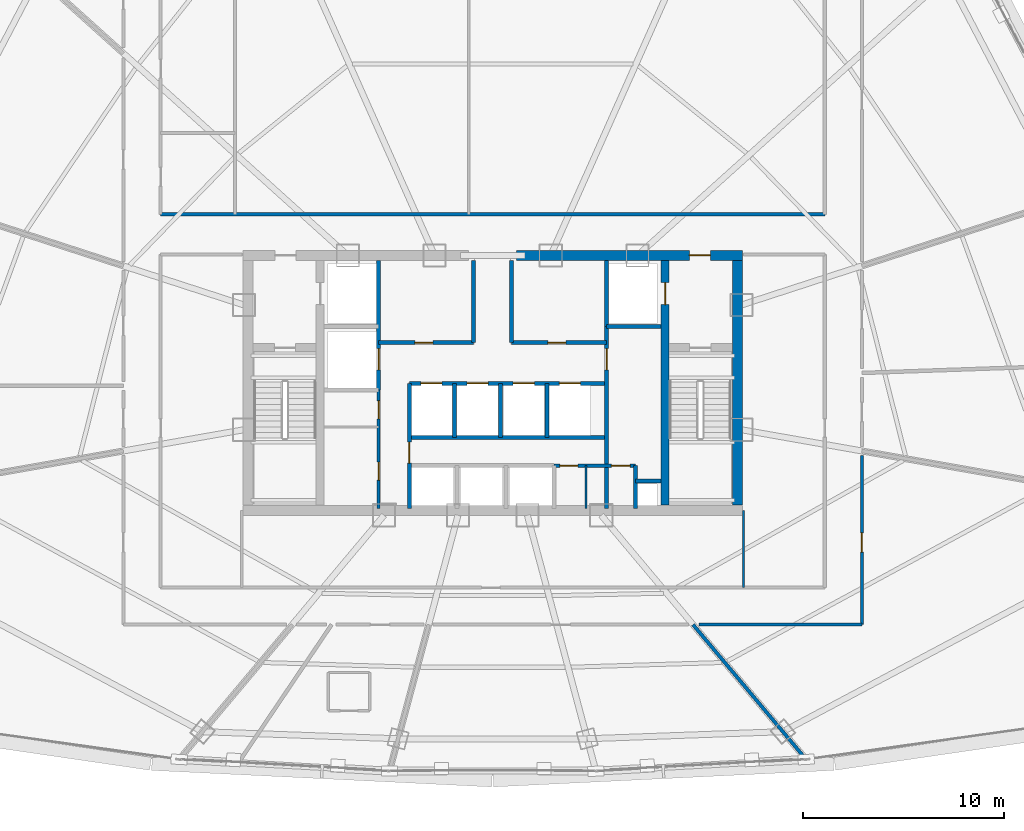
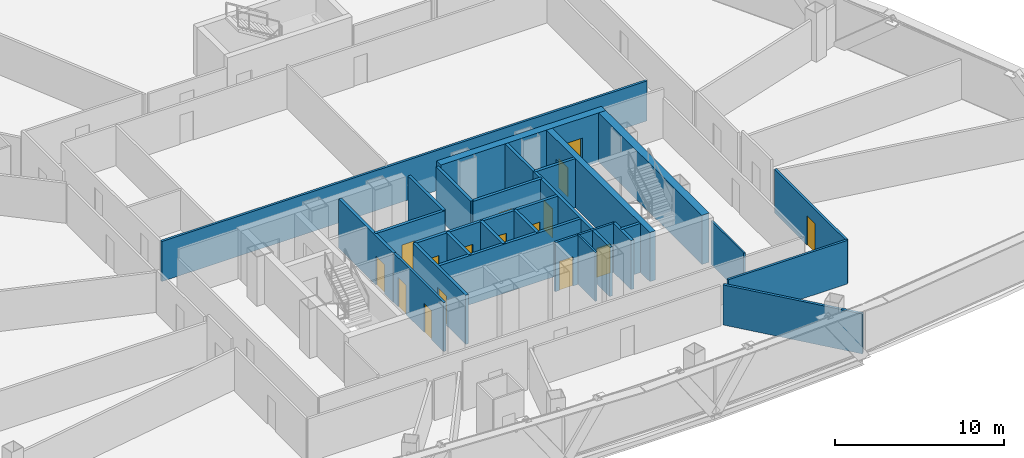
# One storey, part 31 of 37: 27 walls, 16 doors, 16 openings.
"""IFC4 building model written with IfcOpenShell, lengths in metres."""

from ifc_helpers import new_model, si_unit, direction, frame, frame_2d, origin, origin_with_axes, place, context, subcontext, project, spatial, rectangle, extrude, source, transform, mapped, material, layer, layer_set, type_object, element, fill, save


model = new_model("IFC4")

# Units and contexts
model_context = context("Model", 3, precision=1e-05, world=origin(), true_north=direction((0.0, 1.0)))
body_context = subcontext(model_context, "Body", "Model", "MODEL_VIEW")
ifc_project = project(units=[si_unit("LENGTHUNIT", "METRE"), si_unit("AREAUNIT", "SQUARE_METRE"), si_unit("VOLUMEUNIT", "CUBIC_METRE"), si_unit("PLANEANGLEUNIT", "RADIAN"), si_unit("MASSUNIT", "GRAM", prefix="KILO"), si_unit("THERMODYNAMICTEMPERATUREUNIT", "KELVIN"), si_unit("POWERUNIT", "WATT")], contexts=[model_context])

# Site, building, storey
site_placement = place(None, origin())
site = spatial("IfcSite", under=ifc_project, at=site_placement, CompositionType="ELEMENT")
building_placement = place(site_placement, origin())
building = spatial("IfcBuilding", under=site, at=building_placement, Name="Yunzhuo Pagoda Commons", CompositionType="ELEMENT")
storey_placement = place(building_placement, frame((0.0, 0.0, 207.56005859375)))
storey = spatial("IfcBuildingStorey", under=building, at=storey_placement, Name="L52", CompositionType="ELEMENT", Elevation=207.56005859375)

# Wall, opening, door
ifc_material_1 = material(Name="Concrete C50", Category="concrete")
ifc_layer_1 = layer(ifc_material_1, 0.5)
ifc_layer_set_1 = layer_set([ifc_layer_1], Name="Concrete C50")
wall_type_1 = type_object("IfcWallType", Name="W-C03 Upper Core Shear Wall 500", PredefinedType="SHEAR", material=ifc_layer_set_1)
wall_1_placement = place(storey_placement, frame((49.199951171875, 40.199951171875, 0.0), z_axis=(0.0, 0.0, 1.0), x_axis=(1.0, 0.0, 0.0)))
wall_1 = element("IfcWall", 1, at=wall_1_placement, inside=storey, type_object=wall_type_1, Name="L52 core shear wall NE", PredefinedType="SHEAR", context=body_context, shape_type="SweptSolid", body=[
    extrude(rectangle(XDim=11.25, YDim=0.5, at=frame_2d((5.625, 0.0))), origin(), (0.0, 0.0, 1.0), 3.5400390625),
])
opening_1_placement = place(wall_1_placement, frame((8.60009765625, 0.0, 0.0)))
opening_1 = element("IfcOpeningElement", 2, at=opening_1_placement, cuts=wall_1, Name="Opening D-02", PredefinedType="OPENING", context=body_context, shape_type="SweptSolid", body=[
    extrude(rectangle(XDim=1.050048828125, YDim=2.10009765625, at=frame_2d((0.52490234375, 1.050048828125))), frame((0.0, 0.260009765625, 0.0), z_axis=(0.0, -1.0, 0.0), x_axis=(1.0, 0.0, 0.0)), (0.0, 0.0, 1.0), 0.52001953125),
])
ifc_material_2 = material(Name="Galvanized fire-resisting metal leaf")
door_type_1 = type_object("IfcDoorType", Name="D-02 Firefighting Lobby & Refuge Fire Door 1050x2100", OperationType="NOTDEFINED", PredefinedType="DOOR", material=ifc_material_2)
shared_shape_1 = source(origin(), body_context, "Body", "SweptSolid", [
    extrude(rectangle(XDim=1.050048828125, YDim=2.10009765625, at=frame_2d((0.52490234375, 1.050048828125))), frame((0.0, 0.02490234375, 0.0), z_axis=(0.0, -1.0, 0.0), x_axis=(1.0, 0.0, 0.0)), (0.0, 0.0, 1.0), 0.050048828125),
])
door_1_placement = place(opening_1_placement, frame((1.050048828125, 0.0, 0.0), z_axis=(0.0, 0.0, 1.0), x_axis=(-1.0, 0.0, 0.0)))
door_1 = element("IfcDoor", 3, at=door_1_placement, inside=storey, type_object=door_type_1, Name="L52 Firefighting Lobby 2 fire door", OperationType="SINGLE_SWING_RIGHT", OverallHeight=2.10009765625, OverallWidth=1.050048828125, PredefinedType="DOOR", context=body_context, shape_type="MappedRepresentation", body=[
    mapped(shared_shape_1, transform((0.0, 0.0, 0.0), scale=1.0)),
])
fill(opening_1, door_1)

# Wall
wall_2_placement = place(storey_placement, frame((60.199951171875, 27.75, 0.0), z_axis=(0.0, 0.0, 1.0), x_axis=(0.0, 1.0, 0.0)))
element("IfcWall", 4, at=wall_2_placement, inside=storey, type_object=wall_type_1, Name="L52 core shear wall E", PredefinedType="SHEAR", context=body_context, shape_type="SweptSolid", body=[
    extrude(rectangle(XDim=12.199951171875, YDim=0.5, at=frame_2d((6.10009765625, 0.0))), origin(), (0.0, 0.0, 1.0), 3.5400390625),
])

# Wall, openings, doors
ifc_material_3 = material(Name="Gypsum plasterboard on acoustic stud")
ifc_layer_2 = layer(ifc_material_3, 0.155029296875)
ifc_layer_set_2 = layer_set([ifc_layer_2], Name="Gypsum plasterboard on acoustic stud")
wall_type_2 = type_object("IfcWallType", Name="W-COR2 Mid-Zone Rated Corridor Wall 155", PredefinedType="PARTITIONING", material=ifc_layer_set_2)
wall_3_placement = place(storey_placement, frame((42.320068359375, 27.60009765625, 0.0), z_axis=(0.0, 0.0, 1.0), x_axis=(0.0, 1.0, 0.0)))
wall_3 = element("IfcWall", 5, at=wall_3_placement, inside=storey, type_object=wall_type_2, Name="L52 interior wall IW-L52-CSWE", PredefinedType="PARTITIONING", context=body_context, shape_type="SweptSolid", body=[
    extrude(rectangle(XDim=5.89990234375, YDim=0.155029296875, at=frame_2d((2.949951171875, 0.0))), origin(), (0.0, 0.0, 1.0), 3.5400390625),
])
opening_2_placement = place(wall_3_placement, frame((1.39990234375, 0.0, 0.0)))
opening_2 = element("IfcOpeningElement", 6, at=opening_2_placement, cuts=wall_3, Name="Opening D-03", PredefinedType="OPENING", context=body_context, shape_type="SweptSolid", body=[
    extrude(rectangle(XDim=0.89990234375, YDim=2.10009765625, at=frame_2d((0.449951171875, 1.050048828125))), frame((0.0, 0.08740234375, 0.0), z_axis=(0.0, -1.0, 0.0), x_axis=(1.0, 0.0, 0.0)), (0.0, 0.0, 1.0), 0.175048828125),
])
opening_3_placement = place(wall_3_placement, frame((4.449951171875, 0.0, 0.0)))
opening_3 = element("IfcOpeningElement", 7, at=opening_3_placement, cuts=wall_3, Name="Opening D-03", PredefinedType="OPENING", context=body_context, shape_type="SweptSolid", body=[
    extrude(rectangle(XDim=0.89990234375, YDim=2.10009765625, at=frame_2d((0.449951171875, 1.050048828125))), frame((0.0, 0.08740234375, 0.0), z_axis=(0.0, -1.0, 0.0), x_axis=(1.0, 0.0, 0.0)), (0.0, 0.0, 1.0), 0.175048828125),
])
door_type_2 = type_object("IfcDoorType", Name="D-03 Core Service Fire Door 900x2100", OperationType="NOTDEFINED", PredefinedType="DOOR", material=ifc_material_2)
shared_shape_2 = source(origin(), body_context, "Body", "SweptSolid", [
    extrude(rectangle(XDim=0.89990234375, YDim=2.10009765625, at=frame_2d((0.449951171875, 1.050048828125))), frame((0.0, 0.02490234375, 0.0), z_axis=(0.0, -1.0, 0.0), x_axis=(1.0, 0.0, 0.0)), (0.0, 0.0, 1.0), 0.050048828125),
])
door_2_placement = place(opening_2_placement, origin_with_axes())
door_2 = element("IfcDoor", 8, at=door_2_placement, inside=storey, type_object=door_type_2, Name="L52 service store door", OperationType="SINGLE_SWING_LEFT", OverallHeight=2.10009765625, OverallWidth=0.89990234375, PredefinedType="DOOR", context=body_context, shape_type="MappedRepresentation", body=[
    mapped(shared_shape_2, transform((0.0, 0.0, 0.0), scale=1.0)),
])
fill(opening_2, door_2)
door_3_placement = place(opening_3_placement, origin_with_axes())
door_3 = element("IfcDoor", 9, at=door_3_placement, inside=storey, type_object=door_type_2, Name="L52 switch closet door", OperationType="SINGLE_SWING_RIGHT", OverallHeight=2.10009765625, OverallWidth=0.89990234375, PredefinedType="DOOR", context=body_context, shape_type="MappedRepresentation", body=[
    mapped(shared_shape_2, transform((0.0, 0.0, 0.0), scale=1.0)),
])
fill(opening_3, door_3)

wall_4_placement = place(storey_placement, frame((51.050048828125, 29.719970703125, 0.0), z_axis=(0.0, 0.0, 1.0), x_axis=(1.0, 0.0, 0.0)))
wall_4 = element("IfcWall", 10, at=wall_4_placement, inside=storey, type_object=wall_type_2, Name="L52 interior wall IW-L52-CSES", PredefinedType="PARTITIONING", context=body_context, shape_type="SweptSolid", body=[
    extrude(rectangle(XDim=4.070068359375, YDim=0.155029296875, at=frame_2d((2.03515625, 0.0))), origin(), (0.0, 0.0, 1.0), 3.5400390625),
])
opening_4_placement = place(wall_4_placement, frame((0.300048828125, 0.0, 0.0)))
opening_4 = element("IfcOpeningElement", 11, at=opening_4_placement, cuts=wall_4, Name="Opening D-03", PredefinedType="OPENING", context=body_context, shape_type="SweptSolid", body=[
    extrude(rectangle(XDim=0.89990234375, YDim=2.10009765625, at=frame_2d((0.449951171875, 1.050048828125))), frame((0.0, 0.08740234375, 0.0), z_axis=(0.0, -1.0, 0.0), x_axis=(1.0, 0.0, 0.0)), (0.0, 0.0, 1.0), 0.175048828125),
])
opening_5_placement = place(wall_4_placement, frame((2.860107421875, 0.0, 0.0)))
opening_5 = element("IfcOpeningElement", 12, at=opening_5_placement, cuts=wall_4, Name="Opening D-11", PredefinedType="OPENING", context=body_context, shape_type="SweptSolid", body=[
    extrude(rectangle(XDim=0.93994140625, YDim=2.10009765625, at=frame_2d((0.469970703125, 1.050048828125))), frame((0.0, 0.08740234375, 0.0), z_axis=(0.0, -1.0, 0.0), x_axis=(1.0, 0.0, 0.0)), (0.0, 0.0, 1.0), 0.175048828125),
])
door_4_placement = place(opening_4_placement, origin_with_axes())
door_4 = element("IfcDoor", 13, at=door_4_placement, inside=storey, type_object=door_type_2, Name="L52 cleaner door", OperationType="SINGLE_SWING_LEFT", OverallHeight=2.10009765625, OverallWidth=0.89990234375, PredefinedType="DOOR", context=body_context, shape_type="MappedRepresentation", body=[
    mapped(shared_shape_2, transform((0.0, 0.0, 0.0), scale=1.0)),
])
fill(opening_4, door_4)
door_type_3 = type_object("IfcDoorType", Name="D-11 Accessible Washroom Fire Door 940x2100", OperationType="NOTDEFINED", PredefinedType="DOOR", material=ifc_material_2)
shared_shape_3 = source(origin(), body_context, "Body", "SweptSolid", [
    extrude(rectangle(XDim=0.93994140625, YDim=2.10009765625, at=frame_2d((0.469970703125, 1.050048828125))), frame((0.0, 0.02490234375, 0.0), z_axis=(0.0, -1.0, 0.0), x_axis=(1.0, 0.0, 0.0)), (0.0, 0.0, 1.0), 0.050048828125),
])
door_5_placement = place(opening_5_placement, origin_with_axes())
door_5 = element("IfcDoor", 14, at=door_5_placement, inside=storey, type_object=door_type_3, Name="L52 core WC door", OperationType="SINGLE_SWING_RIGHT", OverallHeight=2.10009765625, OverallWidth=0.93994140625, PredefinedType="DOOR", context=body_context, shape_type="MappedRepresentation", body=[
    mapped(shared_shape_3, transform((0.0, 0.0, 0.0), scale=1.0)),
])
fill(opening_5, door_5)

# Wall
wall_5_placement = place(storey_placement, frame((31.449951171875, 42.25, 0.0), z_axis=(0.0, 0.0, 1.0), x_axis=(1.0, 0.0, 0.0)))
element("IfcWall", 15, at=wall_5_placement, inside=storey, type_object=wall_type_2, Name="L52 interior wall IW-L52-MCNS", PredefinedType="PARTITIONING", context=body_context, shape_type="SweptSolid", body=[
    extrude(rectangle(XDim=33.10009765625, YDim=0.155029296875, at=frame_2d((16.550048828125, 0.0))), origin(), (0.0, 0.0, 1.0), 2.889892578125),
])

# Wall, opening, door
wall_6_placement = place(storey_placement, frame((66.39990234375, 30.232177734375, 0.0), z_axis=(0.0, 0.0, 1.0), x_axis=(0.0, -1.0, 0.0)))
wall_6 = element("IfcWall", 16, at=wall_6_placement, inside=storey, type_object=wall_type_2, Name="L52 interior wall IW-L52-CWL13", PredefinedType="PARTITIONING", context=body_context, shape_type="SweptSolid", body=[
    extrude(rectangle(XDim=8.43212890625, YDim=0.155029296875, at=frame_2d((4.216064453125, 0.0))), origin(), (0.0, 0.0, 1.0), 3.139892578125),
])
opening_6_placement = place(wall_6_placement, frame((3.859375, 0.0, 0.0)))
opening_6 = element("IfcOpeningElement", 17, at=opening_6_placement, cuts=wall_6, Name="Opening D-07", PredefinedType="OPENING", context=body_context, shape_type="SweptSolid", body=[
    extrude(rectangle(XDim=0.9599609375, YDim=2.1201171875, at=frame_2d((0.47998046875, 1.06005859375))), frame((0.0, 0.08740234375, 0.0), z_axis=(0.0, -1.0, 0.0), x_axis=(1.0, 0.0, 0.0)), (0.0, 0.0, 1.0), 0.175048828125),
])
door_type_4 = type_object("IfcDoorType", Name="D-07 Mid-Zone Suite Entrance Fire Door 960x2120", OperationType="NOTDEFINED", PredefinedType="DOOR", material=ifc_material_2)
shared_shape_4 = source(origin(), body_context, "Body", "SweptSolid", [
    extrude(rectangle(XDim=0.9599609375, YDim=2.1201171875, at=frame_2d((0.47998046875, 1.06005859375))), frame((0.0, 0.02490234375, 0.0), z_axis=(0.0, -1.0, 0.0), x_axis=(1.0, 0.0, 0.0)), (0.0, 0.0, 1.0), 0.050048828125),
])
door_6_placement = place(opening_6_placement, origin_with_axes())
door_6 = element("IfcDoor", 18, at=door_6_placement, inside=storey, type_object=door_type_4, Name="L52 unit 13 entrance door", OperationType="SINGLE_SWING_LEFT", OverallHeight=2.1201171875, OverallWidth=0.9599609375, PredefinedType="DOOR", context=body_context, shape_type="MappedRepresentation", body=[
    mapped(shared_shape_4, transform((0.0, 0.0, 0.0), scale=1.0)),
])
fill(opening_6, door_6)

# Walls
wall_7_placement = place(storey_placement, frame((66.39990234375, 21.800048828125, 0.0), z_axis=(0.0, 0.0, 1.0), x_axis=(-1.0, 0.0, 0.0)))
element("IfcWall", 19, at=wall_7_placement, inside=storey, type_object=wall_type_2, Name="L52 interior wall IW-L52-CWL14", PredefinedType="PARTITIONING", context=body_context, shape_type="SweptSolid", body=[
    extrude(rectangle(XDim=8.12744140625, YDim=0.155029296875, at=frame_2d((4.063720703125, 0.0))), origin(), (0.0, 0.0, 1.0), 3.139892578125),
])
ifc_layer_3 = layer(ifc_material_3, 0.1201171875)
ifc_layer_set_3 = layer_set([ifc_layer_3], Name="Gypsum plasterboard on acoustic stud")
wall_type_3 = type_object("IfcWallType", Name="W-PRT1 Suite & Bathroom Partition 120", PredefinedType="PARTITIONING", material=ifc_layer_set_3)
wall_8_placement = place(storey_placement, frame((52.64990234375, 27.60009765625, 0.0), z_axis=(0.0, 0.0, 1.0), x_axis=(0.0, 1.0, 0.0)))
element("IfcWall", 20, at=wall_8_placement, inside=storey, type_object=wall_type_3, Name="L52 interior wall IW-L52-CD2", PredefinedType="PARTITIONING", context=body_context, shape_type="SweptSolid", body=[
    extrude(rectangle(XDim=2.119873046875, YDim=0.1201171875, at=frame_2d((1.06005859375, 0.0))), origin(), (0.0, 0.0, 1.0), 3.5400390625),
])
wall_9_placement = place(storey_placement, frame((60.5, 23.64990234375, 0.0), z_axis=(0.0, 0.0, 1.0), x_axis=(0.0, 1.0, 0.0)))
element("IfcWall", 21, at=wall_9_placement, inside=storey, type_object=wall_type_3, Name="L52 interior wall IW-L52-SFLD2", PredefinedType="PARTITIONING", context=body_context, shape_type="SweptSolid", body=[
    extrude(rectangle(XDim=3.85009765625, YDim=0.1201171875, at=frame_2d((1.925048828125, 0.0))), origin(), (0.0, 0.0, 1.0), 3.139892578125),
])
ifc_layer_4 = layer(ifc_material_3, 0.175048828125)
ifc_layer_set_4 = layer_set([ifc_layer_4], Name="Gypsum plasterboard on acoustic stud")
wall_type_4 = type_object("IfcWallType", Name="W-PRT3 Mid-Zone Demising Wall 175", PredefinedType="PARTITIONING", material=ifc_layer_set_4)
wall_10_placement = place(storey_placement, frame((57.9853515625, 21.800048828125, 0.0), z_axis=(0.0, 0.0, 1.0), x_axis=(0.642774108653, -0.766055771629, 0.0)))
element("IfcWall", 22, at=wall_10_placement, inside=storey, type_object=wall_type_4, Name="L52 interior wall IW-L52-RAD13", PredefinedType="PARTITIONING", context=body_context, shape_type="SweptSolid", body=[
    extrude(rectangle(XDim=8.76904296875, YDim=0.175048828125, at=frame_2d((4.384521484375, 0.0))), origin(), (0.0, 0.0, 1.0), 2.889892578125),
])

# Wall, opening, door
ifc_material_4 = material(Name="Concrete C60", Category="concrete")
ifc_layer_5 = layer(ifc_material_4, 0.39990234375)
ifc_layer_set_5 = layer_set([ifc_layer_5], Name="Concrete C60")
wall_type_5 = type_object("IfcWallType", Name="W-S01 Internal Core Shear Web 400", PredefinedType="SHEAR", material=ifc_layer_set_5)
wall_11_placement = place(storey_placement, frame((56.60009765625, 27.75, 0.0), z_axis=(0.0, 0.0, 1.0), x_axis=(0.0, 1.0, 0.0)))
wall_11 = element("IfcWall", 23, at=wall_11_placement, inside=storey, type_object=wall_type_5, Name="L52 core shear wall WEBE", PredefinedType="SHEAR", context=body_context, shape_type="SweptSolid", body=[
    extrude(rectangle(XDim=12.199951171875, YDim=0.39990234375, at=frame_2d((6.10009765625, 0.0))), origin(), (0.0, 0.0, 1.0), 3.5400390625),
])
opening_7_placement = place(wall_11_placement, frame((10.0, 0.0, 0.0)))
opening_7 = element("IfcOpeningElement", 24, at=opening_7_placement, cuts=wall_11, Name="Opening LD-01", PredefinedType="OPENING", context=body_context, shape_type="SweptSolid", body=[
    extrude(rectangle(XDim=1.10009765625, YDim=2.10009765625, at=frame_2d((0.550048828125, 1.050048828125))), frame((0.0, 0.2099609375, 0.0), z_axis=(0.0, -1.0, 0.0), x_axis=(1.0, 0.0, 0.0)), (0.0, 0.0, 1.0), 0.419921875),
])
door_type_5 = type_object("IfcDoorType", Name="LD-01 Firefighting Lift Landing Door 1100x2100", OperationType="DOUBLE_DOOR_SLIDING", PredefinedType="DOOR", material=ifc_material_2)
shared_shape_5 = source(origin(), body_context, "Body", "SweptSolid", [
    extrude(rectangle(XDim=1.10009765625, YDim=2.10009765625, at=frame_2d((0.550048828125, 1.050048828125))), frame((0.0, 0.02490234375, 0.0), z_axis=(0.0, -1.0, 0.0), x_axis=(1.0, 0.0, 0.0)), (0.0, 0.0, 1.0), 0.050048828125),
])
door_7_placement = place(opening_7_placement, origin_with_axes())
door_7 = element("IfcDoor", 25, at=door_7_placement, inside=storey, type_object=door_type_5, Name="L52 Firefighting lift FL-2 landing door", OperationType="DOUBLE_DOOR_SLIDING", OverallHeight=2.10009765625, OverallWidth=1.10009765625, PredefinedType="DOOR", context=body_context, shape_type="MappedRepresentation", body=[
    mapped(shared_shape_5, transform((0.0, 0.0, 0.0), scale=1.0)),
])
fill(opening_7, door_7)

ifc_material_5 = material(Name="Concrete C40", Category="concrete")
ifc_layer_6 = layer(ifc_material_5, 0.199951171875)
ifc_layer_set_6 = layer_set([ifc_layer_6], Name="Concrete C40")
wall_type_6 = type_object("IfcWallType", Name="W-SHF Shaft & Stair Enclosure Wall 200", PredefinedType="SOLIDWALL", material=ifc_layer_set_6)
wall_12_placement = place(storey_placement, frame((42.320068359375, 33.5, 0.0), z_axis=(0.0, 0.0, 1.0), x_axis=(0.0, 1.0, 0.0)))
wall_12 = element("IfcWall", 26, at=wall_12_placement, inside=storey, type_object=wall_type_6, Name="L52 interior wall IW-L52-FL1E", PredefinedType="SOLIDWALL", context=body_context, shape_type="SweptSolid", body=[
    extrude(rectangle(XDim=6.449951171875, YDim=0.199951171875, at=frame_2d((3.22509765625, 0.0))), origin(), (0.0, 0.0, 1.0), 3.5400390625),
])
opening_8_placement = place(wall_12_placement, frame((1.0, 0.0, 0.0)))
opening_8 = element("IfcOpeningElement", 27, at=opening_8_placement, cuts=wall_12, Name="Opening LD-02", PredefinedType="OPENING", context=body_context, shape_type="SweptSolid", body=[
    extrude(rectangle(XDim=1.050048828125, YDim=2.10009765625, at=frame_2d((0.52490234375, 1.050048828125))), frame((0.0, 0.10986328125, 0.0), z_axis=(0.0, -1.0, 0.0), x_axis=(1.0, 0.0, 0.0)), (0.0, 0.0, 1.0), 0.219970703125),
])
door_type_6 = type_object("IfcDoorType", Name="LD-02 Passenger Lift Landing Door 1050x2100", OperationType="DOUBLE_DOOR_SLIDING", PredefinedType="DOOR", material=ifc_material_2)
door_8_placement = place(opening_8_placement, origin_with_axes())
door_8 = element("IfcDoor", 28, at=door_8_placement, inside=storey, type_object=door_type_6, Name="L52 Service lift SL-1 landing door", OperationType="DOUBLE_DOOR_SLIDING", OverallHeight=2.10009765625, OverallWidth=1.050048828125, PredefinedType="DOOR", context=body_context, shape_type="MappedRepresentation", body=[
    mapped(shared_shape_1, transform((0.0, 0.0, 0.0), scale=1.0)),
])
fill(opening_8, door_8)

# Walls
wall_13_placement = place(storey_placement, frame((53.679931640625, 36.64990234375, 0.0), z_axis=(0.0, 0.0, 1.0), x_axis=(0.0, 1.0, 0.0)))
element("IfcWall", 29, at=wall_13_placement, inside=storey, type_object=wall_type_6, Name="L52 interior wall IW-L52-FL2W", PredefinedType="SOLIDWALL", context=body_context, shape_type="SweptSolid", body=[
    extrude(rectangle(XDim=3.300048828125, YDim=0.199951171875, at=frame_2d((1.64990234375, 0.0))), origin(), (0.0, 0.0, 1.0), 3.5400390625),
])
wall_14_placement = place(storey_placement, frame((53.679931640625, 36.64990234375, 0.0), z_axis=(0.0, 0.0, 1.0), x_axis=(1.0, 0.0, 0.0)))
element("IfcWall", 30, at=wall_14_placement, inside=storey, type_object=wall_type_6, Name="L52 interior wall IW-L52-FL2S", PredefinedType="SOLIDWALL", context=body_context, shape_type="SweptSolid", body=[
    extrude(rectangle(XDim=2.719970703125, YDim=0.199951171875, at=frame_2d((1.35986328125, 0.0))), origin(), (0.0, 0.0, 1.0), 3.5400390625),
])

# Wall, opening, door
wall_15_placement = place(storey_placement, frame((42.320068359375, 35.85009765625, 0.0), z_axis=(0.0, 0.0, 1.0), x_axis=(1.0, 0.0, 0.0)))
wall_15 = element("IfcWall", 31, at=wall_15_placement, inside=storey, type_object=wall_type_6, Name="L52 interior wall IW-L52-LBNW", PredefinedType="SOLIDWALL", context=body_context, shape_type="SweptSolid", body=[
    extrude(rectangle(XDim=4.72998046875, YDim=0.199951171875, at=frame_2d((2.364990234375, 0.0))), origin(), (0.0, 0.0, 1.0), 3.5400390625),
])
opening_9_placement = place(wall_15_placement, frame((1.800048828125, 0.0, 0.0)))
opening_9 = element("IfcOpeningElement", 32, at=opening_9_placement, cuts=wall_15, Name="Opening D-03", PredefinedType="OPENING", context=body_context, shape_type="SweptSolid", body=[
    extrude(rectangle(XDim=0.89990234375, YDim=2.10009765625, at=frame_2d((0.449951171875, 1.050048828125))), frame((0.0, 0.10986328125, 0.0), z_axis=(0.0, -1.0, 0.0), x_axis=(1.0, 0.0, 0.0)), (0.0, 0.0, 1.0), 0.219970703125),
])
door_9_placement = place(opening_9_placement, frame((0.89990234375, 0.0, 0.0), z_axis=(0.0, 0.0, 1.0), x_axis=(-1.0, 0.0, 0.0)))
door_9 = element("IfcDoor", 33, at=door_9_placement, inside=storey, type_object=door_type_2, Name="L52 core west store door", OperationType="SINGLE_SWING_LEFT", OverallHeight=2.10009765625, OverallWidth=0.89990234375, PredefinedType="DOOR", context=body_context, shape_type="MappedRepresentation", body=[
    mapped(shared_shape_2, transform((0.0, 0.0, 0.0), scale=1.0)),
])
fill(opening_9, door_9)

wall_16_placement = place(storey_placement, frame((48.949951171875, 35.85009765625, 0.0), z_axis=(0.0, 0.0, 1.0), x_axis=(1.0, 0.0, 0.0)))
wall_16 = element("IfcWall", 34, at=wall_16_placement, inside=storey, type_object=wall_type_6, Name="L52 interior wall IW-L52-LBNE", PredefinedType="SOLIDWALL", context=body_context, shape_type="SweptSolid", body=[
    extrude(rectangle(XDim=4.72998046875, YDim=0.199951171875, at=frame_2d((2.364990234375, 0.0))), origin(), (0.0, 0.0, 1.0), 3.5400390625),
])
opening_10_placement = place(wall_16_placement, frame((1.800048828125, 0.0, 0.0)))
opening_10 = element("IfcOpeningElement", 35, at=opening_10_placement, cuts=wall_16, Name="Opening D-03", PredefinedType="OPENING", context=body_context, shape_type="SweptSolid", body=[
    extrude(rectangle(XDim=0.89990234375, YDim=2.10009765625, at=frame_2d((0.449951171875, 1.050048828125))), frame((0.0, 0.10986328125, 0.0), z_axis=(0.0, -1.0, 0.0), x_axis=(1.0, 0.0, 0.0)), (0.0, 0.0, 1.0), 0.219970703125),
])
door_10_placement = place(opening_10_placement, frame((0.89990234375, 0.0, 0.0), z_axis=(0.0, 0.0, 1.0), x_axis=(-1.0, 0.0, 0.0)))
door_10 = element("IfcDoor", 36, at=door_10_placement, inside=storey, type_object=door_type_2, Name="L52 core east store door", OperationType="SINGLE_SWING_RIGHT", OverallHeight=2.10009765625, OverallWidth=0.89990234375, PredefinedType="DOOR", context=body_context, shape_type="MappedRepresentation", body=[
    mapped(shared_shape_2, transform((0.0, 0.0, 0.0), scale=1.0)),
])
fill(opening_10, door_10)

# Walls
for number, where, z_axis, x_axis, name in (
    (37, (47.050048828125, 35.85009765625, 0.0), (0.0, 0.0, 1.0), (0.0, 1.0, 0.0), "L52 interior wall IW-L52-THRW"),
    (38, (48.949951171875, 35.85009765625, 0.0), (0.0, 0.0, 1.0), (0.0, 1.0, 0.0), "L52 interior wall IW-L52-THRE"),
):
    element("IfcWall", number, at=place(storey_placement, frame(where, z_axis=z_axis, x_axis=x_axis)), inside=storey, type_object=wall_type_6, Name=name, PredefinedType="SOLIDWALL", context=body_context, shape_type="SweptSolid", body=[
        extrude(rectangle(XDim=4.099853515625, YDim=0.199951171875, at=frame_2d((2.0498046875, 0.0))), origin(), (0.0, 0.0, 1.0), 3.5400390625),
    ])

# Wall, openings, doors
wall_17_placement = place(storey_placement, frame((43.85009765625, 33.820068359375, 0.0), z_axis=(0.0, 0.0, 1.0), x_axis=(1.0, 0.0, 0.0)))
wall_17 = element("IfcWall", 39, at=wall_17_placement, inside=storey, type_object=wall_type_6, Name="L52 interior wall IW-L52-MLBS", PredefinedType="SOLIDWALL", context=body_context, shape_type="SweptSolid", body=[
    extrude(rectangle(XDim=9.829833984375, YDim=0.199951171875, at=frame_2d((4.9150390625, 0.0))), origin(), (0.0, 0.0, 1.0), 3.5400390625),
])
opening_11_placement = place(wall_17_placement, frame((0.574951171875, 0.0, 0.0)))
opening_11 = element("IfcOpeningElement", 40, at=opening_11_placement, cuts=wall_17, Name="Opening LD-02", PredefinedType="OPENING", context=body_context, shape_type="SweptSolid", body=[
    extrude(rectangle(XDim=1.050048828125, YDim=2.10009765625, at=frame_2d((0.52490234375, 1.050048828125))), frame((0.0, 0.10986328125, 0.0), z_axis=(0.0, -1.0, 0.0), x_axis=(1.0, 0.0, 0.0)), (0.0, 0.0, 1.0), 0.219970703125),
])
opening_12_placement = place(wall_17_placement, frame((2.875, 0.0, 0.0)))
opening_12 = element("IfcOpeningElement", 41, at=opening_12_placement, cuts=wall_17, Name="Opening LD-02", PredefinedType="OPENING", context=body_context, shape_type="SweptSolid", body=[
    extrude(rectangle(XDim=1.050048828125, YDim=2.10009765625, at=frame_2d((0.52490234375, 1.050048828125))), frame((0.0, 0.10986328125, 0.0), z_axis=(0.0, -1.0, 0.0), x_axis=(1.0, 0.0, 0.0)), (0.0, 0.0, 1.0), 0.219970703125),
])
opening_13_placement = place(wall_17_placement, frame((5.175048828125, 0.0, 0.0)))
opening_13 = element("IfcOpeningElement", 42, at=opening_13_placement, cuts=wall_17, Name="Opening LD-02", PredefinedType="OPENING", context=body_context, shape_type="SweptSolid", body=[
    extrude(rectangle(XDim=1.050048828125, YDim=2.10009765625, at=frame_2d((0.52490234375, 1.050048828125))), frame((0.0, 0.10986328125, 0.0), z_axis=(0.0, -1.0, 0.0), x_axis=(1.0, 0.0, 0.0)), (0.0, 0.0, 1.0), 0.219970703125),
])
opening_14_placement = place(wall_17_placement, frame((7.47509765625, 0.0, 0.0)))
opening_14 = element("IfcOpeningElement", 43, at=opening_14_placement, cuts=wall_17, Name="Opening LD-02", PredefinedType="OPENING", context=body_context, shape_type="SweptSolid", body=[
    extrude(rectangle(XDim=1.050048828125, YDim=2.10009765625, at=frame_2d((0.52490234375, 1.050048828125))), frame((0.0, 0.10986328125, 0.0), z_axis=(0.0, -1.0, 0.0), x_axis=(1.0, 0.0, 0.0)), (0.0, 0.0, 1.0), 0.219970703125),
])
door_11_placement = place(opening_11_placement, origin_with_axes())
door_11 = element("IfcDoor", 44, at=door_11_placement, inside=storey, type_object=door_type_6, Name="L52 Passenger lift PL-M1 landing door", OperationType="DOUBLE_DOOR_SLIDING", OverallHeight=2.10009765625, OverallWidth=1.050048828125, PredefinedType="DOOR", context=body_context, shape_type="MappedRepresentation", body=[
    mapped(shared_shape_1, transform((0.0, 0.0, 0.0), scale=1.0)),
])
fill(opening_11, door_11)
door_12_placement = place(opening_12_placement, origin_with_axes())
door_12 = element("IfcDoor", 45, at=door_12_placement, inside=storey, type_object=door_type_6, Name="L52 Passenger lift PL-M2 landing door", OperationType="DOUBLE_DOOR_SLIDING", OverallHeight=2.10009765625, OverallWidth=1.050048828125, PredefinedType="DOOR", context=body_context, shape_type="MappedRepresentation", body=[
    mapped(shared_shape_1, transform((0.0, 0.0, 0.0), scale=1.0)),
])
fill(opening_12, door_12)
door_13_placement = place(opening_13_placement, origin_with_axes())
door_13 = element("IfcDoor", 46, at=door_13_placement, inside=storey, type_object=door_type_6, Name="L52 Passenger lift PL-M3 landing door", OperationType="DOUBLE_DOOR_SLIDING", OverallHeight=2.10009765625, OverallWidth=1.050048828125, PredefinedType="DOOR", context=body_context, shape_type="MappedRepresentation", body=[
    mapped(shared_shape_1, transform((0.0, 0.0, 0.0), scale=1.0)),
])
fill(opening_13, door_13)
door_14_placement = place(opening_14_placement, origin_with_axes())
door_14 = element("IfcDoor", 47, at=door_14_placement, inside=storey, type_object=door_type_6, Name="L52 Passenger lift PL-M4 landing door", OperationType="DOUBLE_DOOR_SLIDING", OverallHeight=2.10009765625, OverallWidth=1.050048828125, PredefinedType="DOOR", context=body_context, shape_type="MappedRepresentation", body=[
    mapped(shared_shape_1, transform((0.0, 0.0, 0.0), scale=1.0)),
])
fill(opening_14, door_14)

# Wall, opening, door
wall_18_placement = place(storey_placement, frame((43.85009765625, 27.60009765625, 0.0), z_axis=(0.0, 0.0, 1.0), x_axis=(0.0, 1.0, 0.0)))
wall_18 = element("IfcWall", 48, at=wall_18_placement, inside=storey, type_object=wall_type_6, Name="L52 interior wall IW-L52-PLMW", PredefinedType="SOLIDWALL", context=body_context, shape_type="SweptSolid", body=[
    extrude(rectangle(XDim=6.219970703125, YDim=0.199951171875, at=frame_2d((3.10986328125, 0.0))), origin(), (0.0, 0.0, 1.0), 3.5400390625),
])
opening_15_placement = place(wall_18_placement, frame((2.25, 0.0, 0.0)))
opening_15 = element("IfcOpeningElement", 49, at=opening_15_placement, cuts=wall_18, Name="Opening D-02", PredefinedType="OPENING", context=body_context, shape_type="SweptSolid", body=[
    extrude(rectangle(XDim=1.050048828125, YDim=2.10009765625, at=frame_2d((0.52490234375, 1.050048828125))), frame((0.0, 0.10986328125, 0.0), z_axis=(0.0, -1.0, 0.0), x_axis=(1.0, 0.0, 0.0)), (0.0, 0.0, 1.0), 0.219970703125),
])
door_15_placement = place(opening_15_placement, frame((1.050048828125, 0.0, 0.0), z_axis=(0.0, 0.0, 1.0), x_axis=(-1.0, 0.0, 0.0)))
door_15 = element("IfcDoor", 50, at=door_15_placement, inside=storey, type_object=door_type_1, Name="L52 High-bank hall west door", OperationType="SINGLE_SWING_LEFT", OverallHeight=2.10009765625, OverallWidth=1.050048828125, PredefinedType="DOOR", context=body_context, shape_type="MappedRepresentation", body=[
    mapped(shared_shape_1, transform((0.0, 0.0, 0.0), scale=1.0)),
])
fill(opening_15, door_15)

wall_19_placement = place(storey_placement, frame((53.679931640625, 27.60009765625, 0.0), z_axis=(0.0, 0.0, 1.0), x_axis=(0.0, 1.0, 0.0)))
wall_19 = element("IfcWall", 51, at=wall_19_placement, inside=storey, type_object=wall_type_6, Name="L52 interior wall IW-L52-PLME", PredefinedType="SOLIDWALL", context=body_context, shape_type="SweptSolid", body=[
    extrude(rectangle(XDim=9.0498046875, YDim=0.199951171875, at=frame_2d((4.52490234375, 0.0))), origin(), (0.0, 0.0, 1.0), 3.5400390625),
])
opening_16_placement = place(wall_19_placement, frame((6.89990234375, 0.0, 0.0)))
opening_16 = element("IfcOpeningElement", 52, at=opening_16_placement, cuts=wall_19, Name="Opening D-02", PredefinedType="OPENING", context=body_context, shape_type="SweptSolid", body=[
    extrude(rectangle(XDim=1.050048828125, YDim=2.10009765625, at=frame_2d((0.52490234375, 1.050048828125))), frame((0.0, 0.10986328125, 0.0), z_axis=(0.0, -1.0, 0.0), x_axis=(1.0, 0.0, 0.0)), (0.0, 0.0, 1.0), 0.219970703125),
])
door_16_placement = place(opening_16_placement, origin_with_axes())
door_16 = element("IfcDoor", 53, at=door_16_placement, inside=storey, type_object=door_type_1, Name="L52 High-bank lift hall door", OperationType="SINGLE_SWING_RIGHT", OverallHeight=2.10009765625, OverallWidth=1.050048828125, PredefinedType="DOOR", context=body_context, shape_type="MappedRepresentation", body=[
    mapped(shared_shape_1, transform((0.0, 0.0, 0.0), scale=1.0)),
])
fill(opening_16, door_16)

# Walls
for number, where, z_axis, x_axis, name in (
    (54, (46.10009765625, 31.1201171875, 0.0), (0.0, 0.0, 1.0), (0.0, 1.0, 0.0), "L52 interior wall IW-L52-PLMD1"),
    (55, (48.39990234375, 31.1201171875, 0.0), (0.0, 0.0, 1.0), (0.0, 1.0, 0.0), "L52 interior wall IW-L52-PLMD2"),
    (56, (50.699951171875, 31.1201171875, 0.0), (0.0, 0.0, 1.0), (0.0, 1.0, 0.0), "L52 interior wall IW-L52-PLMD3"),
):
    element("IfcWall", number, at=place(storey_placement, frame(where, z_axis=z_axis, x_axis=x_axis)), inside=storey, type_object=wall_type_6, Name=name, PredefinedType="SOLIDWALL", context=body_context, shape_type="SweptSolid", body=[
        extrude(rectangle(XDim=2.699951171875, YDim=0.199951171875, at=frame_2d((1.35009765625, 0.0))), origin(), (0.0, 0.0, 1.0), 3.5400390625),
    ])
wall_20_placement = place(storey_placement, frame((43.85009765625, 31.1201171875, 0.0), z_axis=(0.0, 0.0, 1.0), x_axis=(1.0, 0.0, 0.0)))
element("IfcWall", 57, at=wall_20_placement, inside=storey, type_object=wall_type_6, Name="L52 interior wall IW-L52-PLMS2", PredefinedType="SOLIDWALL", context=body_context, shape_type="SweptSolid", body=[
    extrude(rectangle(XDim=9.829833984375, YDim=0.199951171875, at=frame_2d((4.9150390625, 0.0))), origin(), (0.0, 0.0, 1.0), 3.5400390625),
])
wall_21_placement = place(storey_placement, frame((55.1201171875, 27.60009765625, 0.0), z_axis=(0.0, 0.0, 1.0), x_axis=(0.0, 1.0, 0.0)))
element("IfcWall", 58, at=wall_21_placement, inside=storey, type_object=wall_type_6, Name="L52 interior wall IW-L52-RSHFW", PredefinedType="SOLIDWALL", context=body_context, shape_type="SweptSolid", body=[
    extrude(rectangle(XDim=2.119873046875, YDim=0.199951171875, at=frame_2d((1.06005859375, 0.0))), origin(), (0.0, 0.0, 1.0), 3.5400390625),
])
wall_22_placement = place(storey_placement, frame((55.1201171875, 28.949951171875, 0.0), z_axis=(0.0, 0.0, 1.0), x_axis=(1.0, 0.0, 0.0)))
element("IfcWall", 59, at=wall_22_placement, inside=storey, type_object=wall_type_6, Name="L52 interior wall IW-L52-RSHFN", PredefinedType="SOLIDWALL", context=body_context, shape_type="SweptSolid", body=[
    extrude(rectangle(XDim=1.27978515625, YDim=0.199951171875, at=frame_2d((0.639892578125, 0.0))), origin(), (0.0, 0.0, 1.0), 3.5400390625),
])

save(model, "model.ifc")
